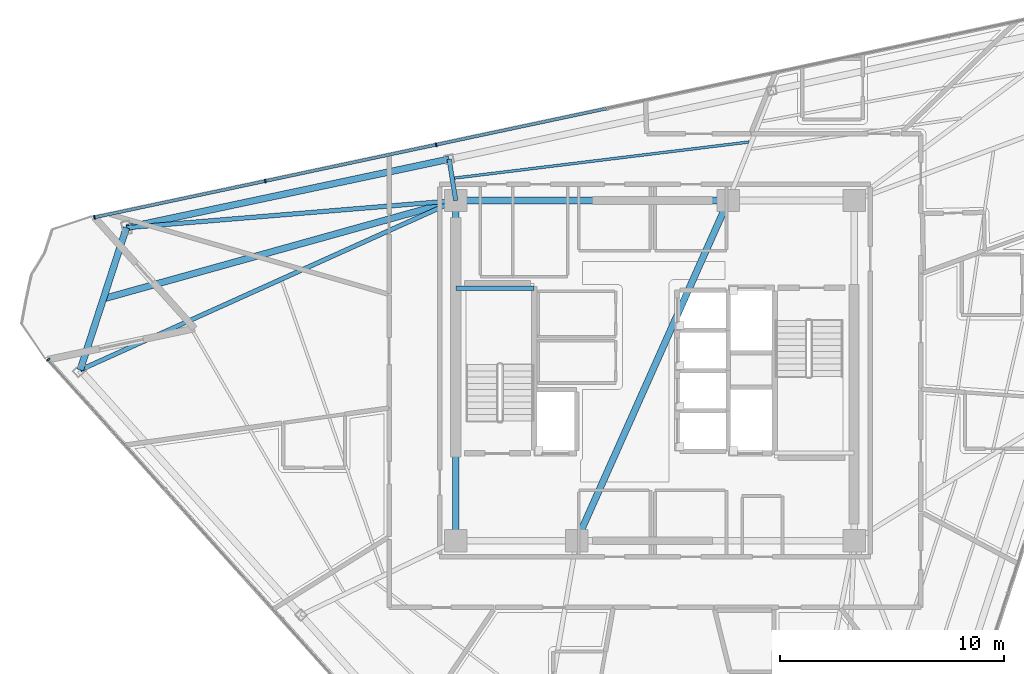
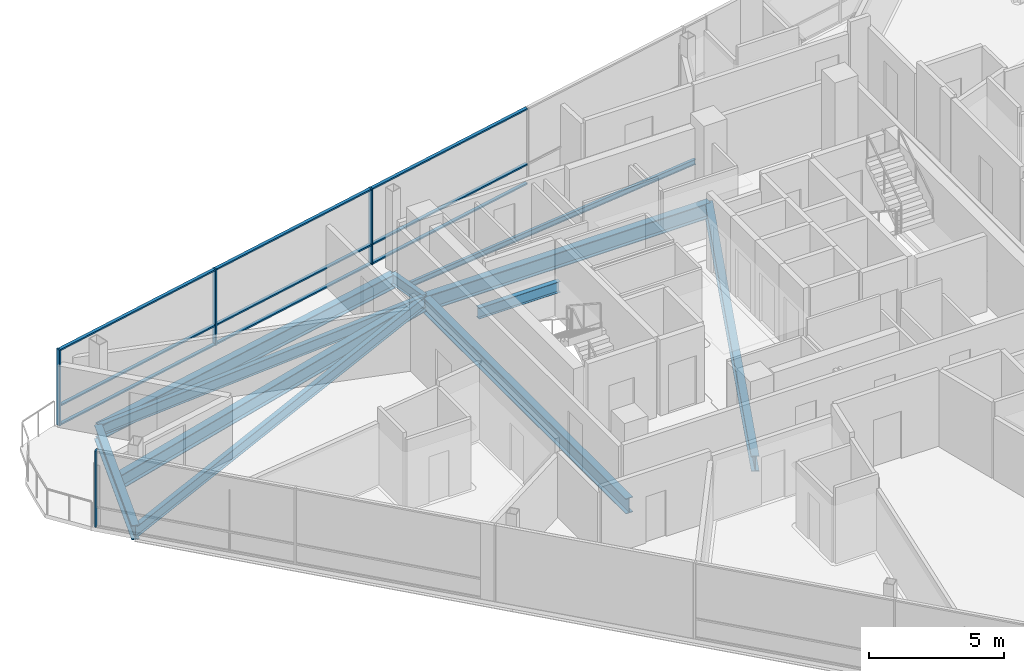
# One storey, part 6 of 17: 13 members, 11 beams, 2 elements without a shape of their own.
"""IFC4 building model written with IfcOpenShell, lengths in metres."""

from ifc_helpers import new_model, si_unit, direction, frame, origin, origin_2d, place, context, subcontext, project, spatial, rectangle, i_section, extrude, material, layer, layer_set, material_profile, profile_set, type_object, element, aggregate, save


model = new_model("IFC4")

# Units and contexts
model_context = context("Model", 3, precision=1e-05, world=origin(), true_north=direction((0.0, 1.0)))
body_context = subcontext(model_context, "Body", "Model", "MODEL_VIEW")
ifc_project = project(units=[si_unit("LENGTHUNIT", "METRE"), si_unit("AREAUNIT", "SQUARE_METRE"), si_unit("VOLUMEUNIT", "CUBIC_METRE"), si_unit("PLANEANGLEUNIT", "RADIAN"), si_unit("MASSUNIT", "GRAM", prefix="KILO")], contexts=[model_context])

# Site, building, storey
site_placement = place(None, origin())
site = spatial("IfcSite", under=ifc_project, at=site_placement, CompositionType="ELEMENT")
building_placement = place(site_placement, origin())
building = spatial("IfcBuilding", under=site, at=building_placement, Name="Tharavind Bronze Gate", CompositionType="ELEMENT")
storey_placement = place(building_placement, frame((0.0, 0.0, 294.35009765625)))
storey = spatial("IfcBuildingStorey", under=building, at=storey_placement, Name="L76", CompositionType="ELEMENT", Elevation=294.35009765625)

# Curtain wall, member
ifc_material_1 = material(Name="Anodised Bronze Aluminium", Category="aluminium")
ifc_layer = layer(ifc_material_1, 0.219970703125)
ifc_layer_set = layer_set([ifc_layer], Name="Anodised Bronze Aluminium")
curtain_wall_type = type_object("IfcCurtainWallType", Name="UNITISED CURTAIN WALL CROWN", PredefinedType="USERDEFINED", material=ifc_layer_set)
curtain_wall_1_placement = place(storey_placement, origin())
curtain_wall_1 = element("IfcCurtainWall", 1, at=curtain_wall_1_placement, inside=storey, type_object=curtain_wall_type, Name="L76 unitised curtain wall crown CW-L76-S1", ObjectType="UNITISED CURTAIN WALL", PredefinedType="USERDEFINED")
member_type_1 = type_object("IfcMemberType", Name="CURTAIN WALL BRONZE MULLION 65X180", PredefinedType="MULLION", material=ifc_material_1)
member_1_placement = place(storey_placement, frame((-27.105224609375, 0.4951171875, 0.0), z_axis=(0.0, 0.0, 1.0), x_axis=(0.669130606359, -0.743144825477, 0.0)))
member_1 = element("IfcMember", 2, at=member_1_placement, type_object=member_type_1, Name="CW-L76-S1 mullion 1", PredefinedType="MULLION", context=body_context, shape_type="SweptSolid", body=[
    extrude(rectangle(XDim=0.06494140625, YDim=0.179931640625, at=origin_2d()), origin(), (0.0, 0.0, 1.0), 3.449951171875),
])
aggregate(curtain_wall_1, [member_1])

# Curtain wall, members
curtain_wall_2_placement = place(storey_placement, origin())
curtain_wall_2 = element("IfcCurtainWall", 3, at=curtain_wall_2_placement, inside=storey, type_object=curtain_wall_type, Name="L76 unitised curtain wall crown CW-L76-S3", ObjectType="UNITISED CURTAIN WALL", PredefinedType="USERDEFINED")
member_2_placement = place(storey_placement, frame((-9.776611328125, 10.0927734375, 0.0), z_axis=(0.0, 0.0, 1.0), x_axis=(-0.978147237858, -0.207913398007, 0.0)))
member_2 = element("IfcMember", 4, at=member_2_placement, type_object=member_type_1, Name="CW-L76-S3 mullion 5", PredefinedType="MULLION", context=body_context, shape_type="SweptSolid", body=[
    extrude(rectangle(XDim=0.06494140625, YDim=0.179931640625, at=origin_2d()), origin(), (0.0, 0.0, 1.0), 3.449951171875),
])
member_3_placement = place(storey_placement, frame((-17.408935546875, 8.470458984375, 0.0), z_axis=(0.0, 0.0, 1.0), x_axis=(-0.978147237858, -0.207913398007, 0.0)))
member_3 = element("IfcMember", 5, at=member_3_placement, type_object=member_type_1, Name="CW-L76-S3 mullion 6", PredefinedType="MULLION", context=body_context, shape_type="SweptSolid", body=[
    extrude(rectangle(XDim=0.06494140625, YDim=0.179931640625, at=origin_2d()), origin(), (0.0, 0.0, 1.0), 3.449951171875),
])
member_4_placement = place(storey_placement, frame((-25.041015625, 6.84814453125, 0.0), z_axis=(0.0, 0.0, 1.0), x_axis=(-0.978147237858, -0.207913398007, 0.0)))
member_4 = element("IfcMember", 6, at=member_4_placement, type_object=member_type_1, Name="CW-L76-S3 mullion 7", PredefinedType="MULLION", context=body_context, shape_type="SweptSolid", body=[
    extrude(rectangle(XDim=0.06494140625, YDim=0.179931640625, at=origin_2d()), origin(), (0.0, 0.0, 1.0), 3.449951171875),
])
member_type_2 = type_object("IfcMemberType", Name="CURTAIN WALL BRONZE TRANSOM 65X140", PredefinedType="USERDEFINED", material=ifc_material_1)
member_5_placement = place(storey_placement, frame((-5.960693359375, 10.90380859375, 0.0), z_axis=(0.0, 0.0, 1.0), x_axis=(-0.978147237858, -0.207913398007, 0.0)))
member_5 = element("IfcMember", 7, at=member_5_placement, type_object=member_type_2, Name="CW-L76-S3 transom TB4", ObjectType="TRANSOM", PredefinedType="USERDEFINED", context=body_context, shape_type="SweptSolid", body=[
    extrude(rectangle(XDim=7.749755859375, YDim=0.139892578125, at=origin_2d()), origin(), (0.0, 0.0, 1.0), 0.06494140625),
])
member_6_placement = place(storey_placement, frame((-5.960693359375, 10.90380859375, 0.867431640625), z_axis=(0.0, 0.0, 1.0), x_axis=(-0.978147237858, -0.207913398007, 0.0)))
member_6 = element("IfcMember", 8, at=member_6_placement, type_object=member_type_2, Name="CW-L76-S3 transom TS4", ObjectType="TRANSOM", PredefinedType="USERDEFINED", context=body_context, shape_type="SweptSolid", body=[
    extrude(rectangle(XDim=7.749755859375, YDim=0.139892578125, at=origin_2d()), origin(), (0.0, 0.0, 1.0), 0.06494140625),
])
member_7_placement = place(storey_placement, frame((-5.960693359375, 10.90380859375, 3.385009765625), z_axis=(0.0, 0.0, 1.0), x_axis=(-0.978147237858, -0.207913398007, 0.0)))
member_7 = element("IfcMember", 9, at=member_7_placement, type_object=member_type_2, Name="CW-L76-S3 transom TT4", ObjectType="TRANSOM", PredefinedType="USERDEFINED", context=body_context, shape_type="SweptSolid", body=[
    extrude(rectangle(XDim=7.749755859375, YDim=0.139892578125, at=origin_2d()), origin(), (0.0, 0.0, 1.0), 0.06494140625),
])
member_8_placement = place(storey_placement, frame((-13.5927734375, 9.281494140625, 0.0), z_axis=(0.0, 0.0, 1.0), x_axis=(-0.978147237858, -0.207913398007, 0.0)))
member_8 = element("IfcMember", 10, at=member_8_placement, type_object=member_type_2, Name="CW-L76-S3 transom TB5", ObjectType="TRANSOM", PredefinedType="USERDEFINED", context=body_context, shape_type="SweptSolid", body=[
    extrude(rectangle(XDim=7.749755859375, YDim=0.139892578125, at=origin_2d()), origin(), (0.0, 0.0, 1.0), 0.06494140625),
])
member_9_placement = place(storey_placement, frame((-13.5927734375, 9.281494140625, 0.867431640625), z_axis=(0.0, 0.0, 1.0), x_axis=(-0.978147237858, -0.207913398007, 0.0)))
member_9 = element("IfcMember", 11, at=member_9_placement, type_object=member_type_2, Name="CW-L76-S3 transom TS5", ObjectType="TRANSOM", PredefinedType="USERDEFINED", context=body_context, shape_type="SweptSolid", body=[
    extrude(rectangle(XDim=7.749755859375, YDim=0.139892578125, at=origin_2d()), origin(), (0.0, 0.0, 1.0), 0.06494140625),
])
member_10_placement = place(storey_placement, frame((-13.5927734375, 9.281494140625, 3.385009765625), z_axis=(0.0, 0.0, 1.0), x_axis=(-0.978147237858, -0.207913398007, 0.0)))
member_10 = element("IfcMember", 12, at=member_10_placement, type_object=member_type_2, Name="CW-L76-S3 transom TT5", ObjectType="TRANSOM", PredefinedType="USERDEFINED", context=body_context, shape_type="SweptSolid", body=[
    extrude(rectangle(XDim=7.749755859375, YDim=0.139892578125, at=origin_2d()), origin(), (0.0, 0.0, 1.0), 0.06494140625),
])
member_11_placement = place(storey_placement, frame((-21.22509765625, 7.6591796875, 0.0), z_axis=(0.0, 0.0, 1.0), x_axis=(-0.978147237858, -0.207913398007, 0.0)))
member_11 = element("IfcMember", 13, at=member_11_placement, type_object=member_type_2, Name="CW-L76-S3 transom TB6", ObjectType="TRANSOM", PredefinedType="USERDEFINED", context=body_context, shape_type="SweptSolid", body=[
    extrude(rectangle(XDim=7.749755859375, YDim=0.139892578125, at=origin_2d()), origin(), (0.0, 0.0, 1.0), 0.06494140625),
])
member_12_placement = place(storey_placement, frame((-21.22509765625, 7.6591796875, 0.867431640625), z_axis=(0.0, 0.0, 1.0), x_axis=(-0.978147237858, -0.207913398007, 0.0)))
member_12 = element("IfcMember", 14, at=member_12_placement, type_object=member_type_2, Name="CW-L76-S3 transom TS6", ObjectType="TRANSOM", PredefinedType="USERDEFINED", context=body_context, shape_type="SweptSolid", body=[
    extrude(rectangle(XDim=7.749755859375, YDim=0.139892578125, at=origin_2d()), origin(), (0.0, 0.0, 1.0), 0.06494140625),
])
member_13_placement = place(storey_placement, frame((-21.22509765625, 7.6591796875, 3.385009765625), z_axis=(0.0, 0.0, 1.0), x_axis=(-0.978147237858, -0.207913398007, 0.0)))
member_13 = element("IfcMember", 15, at=member_13_placement, type_object=member_type_2, Name="CW-L76-S3 transom TT6", ObjectType="TRANSOM", PredefinedType="USERDEFINED", context=body_context, shape_type="SweptSolid", body=[
    extrude(rectangle(XDim=7.749755859375, YDim=0.139892578125, at=origin_2d()), origin(), (0.0, 0.0, 1.0), 0.06494140625),
])
aggregate(curtain_wall_2, [member_2, member_3, member_4, member_5, member_6, member_7, member_8, member_9, member_10, member_11, member_12, member_13])

# Beams
ifc_material_2 = material(Name="Steel S355", Category="steel")
ifc_material_profile_1 = material_profile(ifc_material_2, i_section(OverallWidth=0.300048828125, OverallDepth=0.64990234375, WebThickness=0.01611328125, FlangeThickness=0.031005859375, at=origin_2d()), Name="HE650B")
ifc_profile_set_1 = profile_set([ifc_material_profile_1], Name="Steel S355")
beam_type_1 = type_object("IfcBeamType", Name="PRIMARY GIRDER HE650B", PredefinedType="USERDEFINED", material=ifc_profile_set_1)
beam_1_placement = place(storey_placement, frame((-9.197265625, 9.44921875, -0.510009765625), z_axis=(-0.97814794647, -0.207910064249, 0.0), x_axis=(0.207910064249, -0.97814794647, 0.0)))
element("IfcBeam", 16, at=beam_1_placement, inside=storey, type_object=beam_type_1, Name="L76 primary girder he650b BM-L76-PRG11", ObjectType="GIRDER", PredefinedType="USERDEFINED", context=body_context, shape_type="SweptSolid", body=[
    extrude(i_section(OverallWidth=0.300048828125, OverallDepth=0.64990234375, WebThickness=0.01611328125, FlangeThickness=0.031005859375, at=origin_2d()), origin(), (0.0, 0.0, 1.0), 14.7392578125),
])
beam_2_placement = place(storey_placement, frame((-23.614501953125, 6.384765625, -0.510009765625), z_axis=(-0.309014999798, -0.95105716437, 0.0), x_axis=(0.95105716437, -0.309014999798, 0.0)))
element("IfcBeam", 17, at=beam_2_placement, inside=storey, type_object=beam_type_1, Name="L76 primary girder he650b BM-L76-PRG12", ObjectType="GIRDER", PredefinedType="USERDEFINED", context=body_context, shape_type="SweptSolid", body=[
    extrude(i_section(OverallWidth=0.300048828125, OverallDepth=0.64990234375, WebThickness=0.01611328125, FlangeThickness=0.031005859375, at=origin_2d()), origin(), (0.0, 0.0, 1.0), 6.679931640625),
])
beam_3_placement = place(storey_placement, frame((-8.89990234375, 7.60009765625, -0.510009765625), z_axis=(-0.963236664958, -0.268654289527, 0.0), x_axis=(0.268654289527, -0.963236664958, 0.0)))
element("IfcBeam", 18, at=beam_3_placement, inside=storey, type_object=beam_type_1, Name="L76 primary girder he650b BM-L76-BLCSB", ObjectType="GIRDER", PredefinedType="USERDEFINED", context=body_context, shape_type="SweptSolid", body=[
    extrude(i_section(OverallWidth=0.300048828125, OverallDepth=0.64990234375, WebThickness=0.01611328125, FlangeThickness=0.031005859375, at=origin_2d()), origin(), (0.0, 0.0, 1.0), 16.34765625),
])
ifc_material_profile_2 = material_profile(ifc_material_2, i_section(OverallWidth=0.199951171875, OverallDepth=0.5, WebThickness=0.01025390625, FlangeThickness=0.01611328125, at=origin_2d()), Name="IPE500")
ifc_profile_set_2 = profile_set([ifc_material_profile_2], Name="Steel S355")
beam_type_2 = type_object("IfcBeamType", Name="PRIMARY GIRDER IPE500", PredefinedType="USERDEFINED", material=ifc_profile_set_2)
beam_4_placement = place(storey_placement, frame((-8.89990234375, 3.679931640625, 1.375), z_axis=(1.0, 0.0, 0.0), x_axis=(0.0, 1.0, 0.0)))
element("IfcBeam", 19, at=beam_4_placement, inside=storey, type_object=beam_type_2, Name="L76 primary girder ipe500 BM-LD-ST1-L76-1", ObjectType="GIRDER", PredefinedType="USERDEFINED", context=body_context, shape_type="SweptSolid", body=[
    extrude(i_section(OverallWidth=0.199951171875, OverallDepth=0.5, WebThickness=0.01025390625, FlangeThickness=0.01611328125, at=origin_2d()), origin(), (0.0, 0.0, 1.0), 3.5),
])
beam_5_placement = place(storey_placement, frame((-25.6787109375, 0.03173828125, -0.43505859375), z_axis=(0.911557320277, 0.411173019361, 0.0), x_axis=(-0.411173019361, 0.911557320277, 0.0)))
element("IfcBeam", 20, at=beam_5_placement, inside=storey, type_object=beam_type_2, Name="L76 primary girder ipe500 BM-L76-RAD01", ObjectType="GIRDER", PredefinedType="USERDEFINED", context=body_context, shape_type="SweptSolid", body=[
    extrude(i_section(OverallWidth=0.199951171875, OverallDepth=0.5, WebThickness=0.01025390625, FlangeThickness=0.01611328125, at=origin_2d()), origin(), (0.0, 0.0, 1.0), 18.40673828125),
])
beam_6_placement = place(storey_placement, frame((-9.197265625, 9.44921875, -0.43505859375), z_axis=(0.15877339987, -0.987315049766, 0.0), x_axis=(0.987315049766, 0.15877339987, 0.0)))
element("IfcBeam", 21, at=beam_6_placement, inside=storey, type_object=beam_type_2, Name="L76 primary girder ipe500 BM-L76-RAD11", ObjectType="GIRDER", PredefinedType="USERDEFINED", context=body_context, shape_type="SweptSolid", body=[
    extrude(i_section(OverallWidth=0.199951171875, OverallDepth=0.5, WebThickness=0.01025390625, FlangeThickness=0.01611328125, at=origin_2d()), origin(), (0.0, 0.0, 1.0), 1.872802734375),
])
beam_7_placement = place(storey_placement, frame((-23.614501953125, 6.384765625, -0.43505859375), z_axis=(0.996606499326, 0.082313337321, 0.0), x_axis=(-0.082313337321, 0.996606499326, 0.0)))
element("IfcBeam", 22, at=beam_7_placement, inside=storey, type_object=beam_type_2, Name="L76 primary girder ipe500 BM-L76-RAD12", ObjectType="GIRDER", PredefinedType="USERDEFINED", context=body_context, shape_type="SweptSolid", body=[
    extrude(i_section(OverallWidth=0.199951171875, OverallDepth=0.5, WebThickness=0.01025390625, FlangeThickness=0.01611328125, at=origin_2d()), origin(), (0.0, 0.0, 1.0), 14.7646484375),
])
ifc_material_profile_3 = material_profile(ifc_material_2, i_section(OverallWidth=0.300048828125, OverallDepth=0.699951171875, WebThickness=0.01708984375, FlangeThickness=0.031982421875, at=origin_2d()), Name="HE700B")
ifc_profile_set_3 = profile_set([ifc_material_profile_3], Name="Steel S355")
beam_type_3 = type_object("IfcBeamType", Name="RING GIRDER HE700B", PredefinedType="USERDEFINED", material=ifc_profile_set_3)
beam_8_placement = place(storey_placement, frame((3.280029296875, 7.60009765625, -0.53515625), z_axis=(-1.0, 0.0, 0.0), x_axis=(0.0, -1.0, 0.0)))
element("IfcBeam", 23, at=beam_8_placement, inside=storey, type_object=beam_type_3, Name="L76 ring girder he700b BM-L76-CR5", ObjectType="GIRDER", PredefinedType="USERDEFINED", context=body_context, shape_type="SweptSolid", body=[
    extrude(i_section(OverallWidth=0.300048828125, OverallDepth=0.699951171875, WebThickness=0.01708984375, FlangeThickness=0.031982421875, at=origin_2d()), origin(), (0.0, 0.0, 1.0), 12.179931640625),
])
beam_9_placement = place(storey_placement, frame((-8.89990234375, 7.60009765625, -0.53515625), z_axis=(0.0, -1.0, 0.0), x_axis=(1.0, 0.0, 0.0)))
element("IfcBeam", 24, at=beam_9_placement, inside=storey, type_object=beam_type_3, Name="L76 ring girder he700b BM-L76-CR6", ObjectType="GIRDER", PredefinedType="USERDEFINED", context=body_context, shape_type="SweptSolid", body=[
    extrude(i_section(OverallWidth=0.300048828125, OverallDepth=0.699951171875, WebThickness=0.01708984375, FlangeThickness=0.031982421875, at=origin_2d()), origin(), (0.0, 0.0, 1.0), 15.2001953125),
])
beam_10_placement = place(storey_placement, frame((-3.5, -7.60009765625, -0.53515625), z_axis=(0.407361644566, 0.913266932795, 0.0), x_axis=(-0.913266932795, 0.407361644566, 0.0)))
element("IfcBeam", 25, at=beam_10_placement, inside=storey, type_object=beam_type_3, Name="L76 ring girder he700b BM-L76-CR7", ObjectType="GIRDER", PredefinedType="USERDEFINED", context=body_context, shape_type="SweptSolid", body=[
    extrude(i_section(OverallWidth=0.300048828125, OverallDepth=0.699951171875, WebThickness=0.01708984375, FlangeThickness=0.031982421875, at=origin_2d()), origin(), (0.0, 0.0, 1.0), 16.643798828125),
])
ifc_material_profile_4 = material_profile(ifc_material_2, i_section(OverallWidth=0.1201171875, OverallDepth=0.239990234375, WebThickness=0.006103515625, FlangeThickness=0.009765625, at=origin_2d()), Name="IPE240")
ifc_profile_set_4 = profile_set([ifc_material_profile_4], Name="Steel S355")
beam_type_4 = type_object("IfcBeamType", Name="SECONDARY FLOOR JOIST IPE240", PredefinedType="JOIST", material=ifc_profile_set_4)
beam_11_placement = place(storey_placement, frame((4.200927734375, 10.214599609375, -0.30517578125), z_axis=(-0.992572551394, -0.121654141807, 0.0), x_axis=(0.121654141807, -0.992572551394, 0.0)))
element("IfcBeam", 26, at=beam_11_placement, inside=storey, type_object=beam_type_4, Name="L76 secondary floor joist ipe240 BM-L76-JSTA10", PredefinedType="JOIST", context=body_context, shape_type="SweptSolid", body=[
    extrude(i_section(OverallWidth=0.1201171875, OverallDepth=0.239990234375, WebThickness=0.006103515625, FlangeThickness=0.009765625, at=origin_2d()), origin(), (0.0, 0.0, 1.0), 13.255126953125),
])

save(model, "model.ifc")
